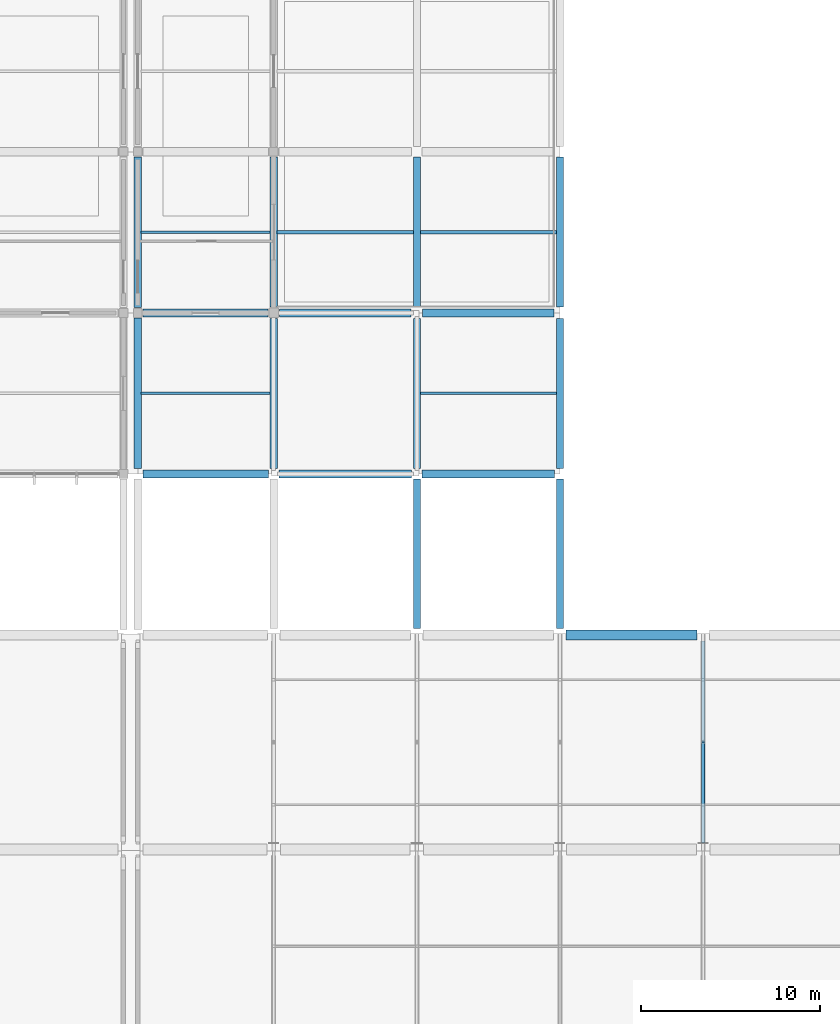
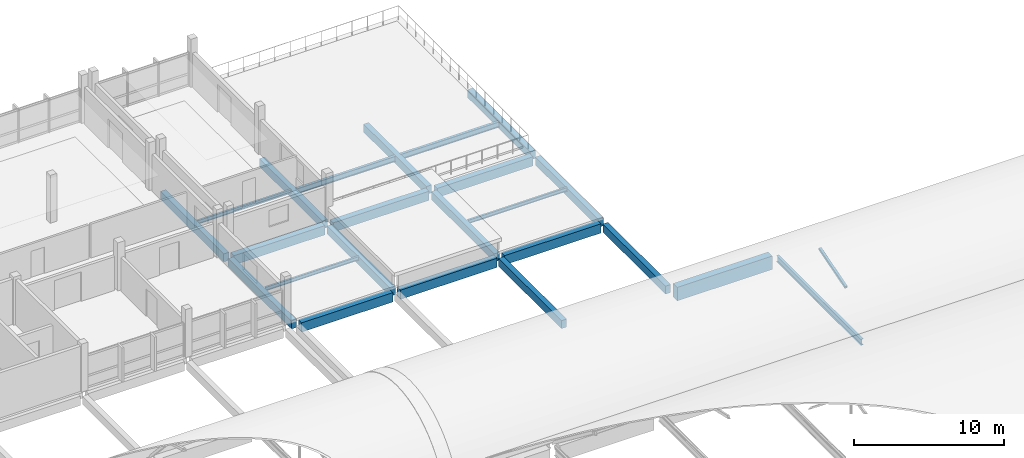
# One storey, part 38 of 57: 23 beams, 1 member.
"""IFC4 building model written with IfcOpenShell, lengths in metres."""

from ifc_helpers import new_model, si_unit, direction, frame, origin, origin_2d, place, context, subcontext, project, spatial, rectangle, hollow_rectangle, i_section, extrude, material, material_profile, profile_set, type_object, element, save


model = new_model("IFC4")

# Units and contexts
model_context = context("Model", 3, precision=1e-05, world=origin(), true_north=direction((0.0, 1.0)))
body_context = subcontext(model_context, "Body", "Model", "MODEL_VIEW")
ifc_project = project(units=[si_unit("LENGTHUNIT", "METRE"), si_unit("AREAUNIT", "SQUARE_METRE"), si_unit("VOLUMEUNIT", "CUBIC_METRE"), si_unit("PLANEANGLEUNIT", "RADIAN"), si_unit("MASSUNIT", "GRAM", prefix="KILO"), si_unit("THERMODYNAMICTEMPERATUREUNIT", "KELVIN"), si_unit("POWERUNIT", "WATT")], contexts=[model_context])

# Site, building, storey
site_placement = place(None, origin())
site = spatial("IfcSite", under=ifc_project, at=site_placement, CompositionType="ELEMENT")
building_placement = place(site_placement, origin())
building = spatial("IfcBuilding", under=site, at=building_placement, Name="Kronsvod Quay Wholesale Market", CompositionType="ELEMENT")
storey_placement = place(building_placement, frame((0.0, 0.0, 13.199951171875)))
storey = spatial("IfcBuildingStorey", under=building, at=storey_placement, Name="L03", CompositionType="ELEMENT", Elevation=13.199951171875)

# Beams
ifc_material_1 = material(Name="Precast concrete C40/50", Category="concrete")
ifc_material_profile_1 = material_profile(ifc_material_1, rectangle(XDim=0.39990234375, YDim=0.64990234375, at=origin_2d()), Name="PCB400x650")
ifc_profile_set_1 = profile_set([ifc_material_profile_1], Name="Precast concrete C40/50")
beam_type_1 = type_object("IfcBeamType", Name="Beam_PCB400x650", PredefinedType="BEAM", material=ifc_profile_set_1)
for number, where, z_axis, x_axis, name in (
    (1, (128.39990234375, 99.300048828125, -0.635009765625), (0.0, 1.0, 0.0), (-1.0, 0.0, 0.0), "BMY-L03-1284-990"),
    (2, (128.39990234375, 108.300048828125, -0.635009765625), (0.0, 1.0, 0.0), (-1.0, 0.0, 0.0), "BMY-L03-1284-1080"),
):
    element("IfcBeam", number, at=place(storey_placement, frame(where, z_axis=z_axis, x_axis=x_axis)), inside=storey, type_object=beam_type_1, Name=name, PredefinedType="BEAM", context=body_context, shape_type="SweptSolid", body=[
        extrude(rectangle(XDim=0.39990234375, YDim=0.64990234375, at=origin_2d()), origin(), (0.0, 0.0, 1.0), 8.39990234375),
    ])
for number, where, z_axis, x_axis, name in (
    (3, (136.0, 99.300048828125, -0.635009765625), (0.0, 1.0, 0.0), (-1.0, 0.0, 0.0), "BMY-L03-1360-990"),
    (4, (136.0, 108.324951171875, -0.635009765625), (0.0, 1.0, 0.0), (-1.0, 0.0, 0.0), "BMY-L03-1360-1080"),
):
    element("IfcBeam", number, at=place(storey_placement, frame(where, z_axis=z_axis, x_axis=x_axis)), inside=storey, type_object=beam_type_1, Name=name, PredefinedType="BEAM", context=body_context, shape_type="SweptSolid", body=[
        extrude(rectangle(XDim=0.39990234375, YDim=0.64990234375, at=origin_2d()), origin(), (0.0, 0.0, 1.0), 8.375),
    ])
beam_1_placement = place(storey_placement, frame((144.0, 90.35009765625, -0.635009765625), z_axis=(0.0, 1.0, 0.0), x_axis=(-1.0, 0.0, 0.0)))
element("IfcBeam", 5, at=beam_1_placement, inside=storey, type_object=beam_type_1, Name="BMY-L03-1440-900", PredefinedType="BEAM", context=body_context, shape_type="SweptSolid", body=[
    extrude(rectangle(XDim=0.39990234375, YDim=0.64990234375, at=origin_2d()), origin(), (0.0, 0.0, 1.0), 8.349853515625),
])
for number, where, z_axis, x_axis, name in (
    (6, (144.0, 99.300048828125, -0.635009765625), (0.0, 1.0, 0.0), (-1.0, 0.0, 0.0), "BMY-L03-1440-990"),
    (7, (144.0, 108.324951171875, -0.635009765625), (0.0, 1.0, 0.0), (-1.0, 0.0, 0.0), "BMY-L03-1440-1080"),
):
    element("IfcBeam", number, at=place(storey_placement, frame(where, z_axis=z_axis, x_axis=x_axis)), inside=storey, type_object=beam_type_1, Name=name, PredefinedType="BEAM", context=body_context, shape_type="SweptSolid", body=[
        extrude(rectangle(XDim=0.39990234375, YDim=0.64990234375, at=origin_2d()), origin(), (0.0, 0.0, 1.0), 8.375),
    ])
beam_2_placement = place(storey_placement, frame((152.0, 90.35009765625, -0.635009765625), z_axis=(0.0, 1.0, 0.0), x_axis=(-1.0, 0.0, 0.0)))
element("IfcBeam", 8, at=beam_2_placement, inside=storey, type_object=beam_type_1, Name="BMY-L03-1520-900", PredefinedType="BEAM", context=body_context, shape_type="SweptSolid", body=[
    extrude(rectangle(XDim=0.39990234375, YDim=0.64990234375, at=origin_2d()), origin(), (0.0, 0.0, 1.0), 8.349853515625),
])
for number, where, z_axis, x_axis, name in (
    (9, (152.0, 99.300048828125, -0.635009765625), (0.0, 1.0, 0.0), (-1.0, 0.0, 0.0), "BMY-L03-1520-990"),
    (10, (152.0, 108.324951171875, -0.635009765625), (0.0, 1.0, 0.0), (-1.0, 0.0, 0.0), "BMY-L03-1520-1080"),
):
    element("IfcBeam", number, at=place(storey_placement, frame(where, z_axis=z_axis, x_axis=x_axis)), inside=storey, type_object=beam_type_1, Name=name, PredefinedType="BEAM", context=body_context, shape_type="SweptSolid", body=[
        extrude(rectangle(XDim=0.39990234375, YDim=0.64990234375, at=origin_2d()), origin(), (0.0, 0.0, 1.0), 8.375),
    ])
ifc_material_2 = material(Name="Precast concrete C40/50", Category="concrete")
ifc_material_profile_2 = material_profile(ifc_material_2, rectangle(XDim=0.449951171875, YDim=0.75, at=origin_2d()), Name="PCB450x750")
ifc_profile_set_2 = profile_set([ifc_material_profile_2], Name="Precast concrete C40/50")
beam_type_2 = type_object("IfcBeamType", Name="Beam_PCB450x750", PredefinedType="BEAM", material=ifc_profile_set_2)
beam_3_placement = place(storey_placement, frame((128.699951171875, 99.0, -0.68505859375), z_axis=(1.0, 0.0, 0.0), x_axis=(0.0, 1.0, 0.0)))
element("IfcBeam", 11, at=beam_3_placement, inside=storey, type_object=beam_type_2, Name="BMX-L03-1284-990", PredefinedType="BEAM", context=body_context, shape_type="SweptSolid", body=[
    extrude(rectangle(XDim=0.449951171875, YDim=0.75, at=origin_2d()), origin(), (0.0, 0.0, 1.0), 7.0),
])
for number, where, z_axis, x_axis, name in (
    (12, (136.300048828125, 99.0, -0.68505859375), (1.0, 0.0, 0.0), (0.0, 1.0, 0.0), "BMX-L03-1360-990"),
    (13, (144.300048828125, 99.0, -0.68505859375), (1.0, 0.0, 0.0), (0.0, 1.0, 0.0), "BMX-L03-1440-990"),
):
    element("IfcBeam", number, at=place(storey_placement, frame(where, z_axis=z_axis, x_axis=x_axis)), inside=storey, type_object=beam_type_2, Name=name, PredefinedType="BEAM", context=body_context, shape_type="SweptSolid", body=[
        extrude(rectangle(XDim=0.449951171875, YDim=0.75, at=origin_2d()), origin(), (0.0, 0.0, 1.0), 7.39990234375),
    ])
beam_4_placement = place(storey_placement, frame((128.699951171875, 108.0, -0.68505859375), z_axis=(1.0, 0.0, 0.0), x_axis=(0.0, 1.0, 0.0)))
element("IfcBeam", 14, at=beam_4_placement, inside=storey, type_object=beam_type_2, Name="BMX-L03-1284-1080", PredefinedType="BEAM", context=body_context, shape_type="SweptSolid", body=[
    extrude(rectangle(XDim=0.449951171875, YDim=0.75, at=origin_2d()), origin(), (0.0, 0.0, 1.0), 6.97509765625),
])
for number, where, z_axis, x_axis, name in (
    (15, (136.324951171875, 108.0, -0.68505859375), (1.0, 0.0, 0.0), (0.0, 1.0, 0.0), "BMX-L03-1360-1080"),
    (16, (144.324951171875, 108.0, -0.68505859375), (1.0, 0.0, 0.0), (0.0, 1.0, 0.0), "BMX-L03-1440-1080"),
):
    element("IfcBeam", number, at=place(storey_placement, frame(where, z_axis=z_axis, x_axis=x_axis)), inside=storey, type_object=beam_type_2, Name=name, PredefinedType="BEAM", context=body_context, shape_type="SweptSolid", body=[
        extrude(rectangle(XDim=0.449951171875, YDim=0.75, at=origin_2d()), origin(), (0.0, 0.0, 1.0), 7.35009765625),
    ])
ifc_material_3 = material(Name="Steel S355", Category="steel")
ifc_material_profile_3 = material_profile(ifc_material_3, i_section(OverallWidth=0.198974609375, OverallDepth=0.446044921875, WebThickness=0.008056640625, FlangeThickness=0.011962890625, FilletRadius=0.01806640625, at=origin_2d()), Name="45B1")
ifc_profile_set_3 = profile_set([ifc_material_profile_3], Name="Steel S355")
beam_type_3 = type_object("IfcBeamType", Name="Beam_Steel45B1", PredefinedType="BEAM", material=ifc_profile_set_3)
for number, where, z_axis, x_axis, name in (
    (17, (136.195068359375, 112.5, -0.532958984375), (1.0, 0.0, 0.0), (0.0, 1.0, 0.0), "JSTX-L03-1360-1080"),
    (18, (144.195068359375, 112.5, -0.532958984375), (1.0, 0.0, 0.0), (0.0, 1.0, 0.0), "JSTX-L03-1440-1080"),
):
    element("IfcBeam", number, at=place(storey_placement, frame(where, z_axis=z_axis, x_axis=x_axis)), inside=storey, type_object=beam_type_3, Name=name, PredefinedType="BEAM", context=body_context, shape_type="SweptSolid", body=[
        extrude(i_section(OverallWidth=0.198974609375, OverallDepth=0.446044921875, WebThickness=0.008056640625, FlangeThickness=0.011962890625, FilletRadius=0.01806640625, at=origin_2d()), origin(), (0.0, 0.0, 1.0), 7.60986328125),
    ])
ifc_material_4 = material(Name="Precast concrete C40/50", Category="concrete")
ifc_material_profile_4 = material_profile(ifc_material_4, rectangle(XDim=0.550048828125, YDim=1.10009765625, at=origin_2d()), Name="PCVG550x1100")
ifc_profile_set_4 = profile_set([ifc_material_profile_4], Name="Precast concrete C40/50")
beam_type_4 = type_object("IfcBeamType", Name="Girder_PCVG550x1100", PredefinedType="T_BEAM", material=ifc_profile_set_4)
beam_5_placement = place(storey_placement, frame((152.35009765625, 90.0, -0.77001953125), z_axis=(1.0, 0.0, 0.0), x_axis=(0.0, 1.0, 0.0)))
element("IfcBeam", 19, at=beam_5_placement, inside=storey, type_object=beam_type_4, Name="BMX-L03-1520-900", PredefinedType="T_BEAM", context=body_context, shape_type="SweptSolid", body=[
    extrude(rectangle(XDim=0.550048828125, YDim=1.10009765625, at=origin_2d()), origin(), (0.0, 0.0, 1.0), 7.2998046875),
])
ifc_material_5 = material(Name="Steel S355", Category="steel")
ifc_material_profile_5 = material_profile(ifc_material_5, i_section(OverallWidth=0.198974609375, OverallDepth=0.49609375, WebThickness=0.009033203125, FlangeThickness=0.013916015625, FilletRadius=0.02001953125, at=origin_2d()), Name="50B1")
ifc_profile_set_5 = profile_set([ifc_material_profile_5], Name="Steel S355")
beam_type_5 = type_object("IfcBeamType", Name="Girder_Steel50B1", PredefinedType="T_BEAM", material=ifc_profile_set_5)
beam_6_placement = place(storey_placement, frame((160.0, 78.375, -0.468017578125), z_axis=(0.0, 1.0, 0.0), x_axis=(-1.0, 0.0, 0.0)))
element("IfcBeam", 20, at=beam_6_placement, inside=storey, type_object=beam_type_5, Name="BMY-L03-1600-780", PredefinedType="T_BEAM", context=body_context, shape_type="SweptSolid", body=[
    extrude(i_section(OverallWidth=0.198974609375, OverallDepth=0.49609375, WebThickness=0.009033203125, FlangeThickness=0.013916015625, FilletRadius=0.02001953125, at=origin_2d()), origin(), (0.0, 0.0, 1.0), 11.27490234375),
])
ifc_material_6 = material(Name="Steel S355", Category="steel")
ifc_material_profile_6 = material_profile(ifc_material_6, i_section(OverallWidth=0.14990234375, OverallDepth=0.300048828125, WebThickness=0.006591796875, FlangeThickness=0.009033203125, FilletRadius=0.012939453125, at=origin_2d()), Name="30B2")
ifc_profile_set_6 = profile_set([ifc_material_profile_6], Name="Steel S355")
beam_type_6 = type_object("IfcBeamType", Name="Joist_Steel30B2", PredefinedType="JOIST", material=ifc_profile_set_6)
for number, where, z_axis, x_axis, name in (
    (21, (128.594970703125, 103.5, -0.369873046875), (1.0, 0.0, 0.0), (0.0, 1.0, 0.0), "JSTX-L03-1284-990"),
    (22, (128.594970703125, 112.5, -0.39990234375), (1.0, 0.0, 0.0), (0.0, 1.0, 0.0), "JSTX-L03-1284-1080"),
):
    element("IfcBeam", number, at=place(storey_placement, frame(where, z_axis=z_axis, x_axis=x_axis)), inside=storey, type_object=beam_type_6, Name=name, PredefinedType="JOIST", context=body_context, shape_type="SweptSolid", body=[
        extrude(i_section(OverallWidth=0.14990234375, OverallDepth=0.300048828125, WebThickness=0.006591796875, FlangeThickness=0.009033203125, FilletRadius=0.012939453125, at=origin_2d()), origin(), (0.0, 0.0, 1.0), 7.2099609375),
    ])
beam_7_placement = place(storey_placement, frame((144.195068359375, 103.5, -0.369873046875), z_axis=(1.0, 0.0, 0.0), x_axis=(0.0, 1.0, 0.0)))
element("IfcBeam", 23, at=beam_7_placement, inside=storey, type_object=beam_type_6, Name="JSTX-L03-1440-990", PredefinedType="JOIST", context=body_context, shape_type="SweptSolid", body=[
    extrude(i_section(OverallWidth=0.14990234375, OverallDepth=0.300048828125, WebThickness=0.006591796875, FlangeThickness=0.009033203125, FilletRadius=0.012939453125, at=origin_2d()), origin(), (0.0, 0.0, 1.0), 7.60986328125),
])

# Member
ifc_material_7 = material(Name="Steel S355", Category="steel")
ifc_material_profile_7 = material_profile(ifc_material_7, hollow_rectangle(XDim=0.199951171875, YDim=0.199951171875, WallThickness=0.010009765625, InnerFilletRadius=0.010009765625, OuterFilletRadius=0.02001953125, at=origin_2d()), Name="RHS200x200x10")
ifc_profile_set_7 = profile_set([ifc_material_profile_7], Name="Steel S355")
member_type = type_object("IfcMemberType", Name="Member_Arch200x200", PredefinedType="RAFTER", material=ifc_profile_set_7)
member_placement = place(storey_placement, frame((160.0, 80.509033203125, 2.705322265625), z_axis=(0.0, 0.95877511068, 0.284165950001), x_axis=(-1.0, 0.0, 0.0)))
element("IfcMember", 24, at=member_placement, inside=storey, type_object=member_type, Name="ARCG-SH-V2E-N-1600-1", PredefinedType="RAFTER", context=body_context, shape_type="SweptSolid", body=[
    extrude(hollow_rectangle(XDim=0.199951171875, YDim=0.199951171875, WallThickness=0.010009765625, InnerFilletRadius=0.010009765625, OuterFilletRadius=0.02001953125, at=origin_2d()), origin(), (0.0, 0.0, 1.0), 3.64111328125),
])

save(model, "model.ifc")
